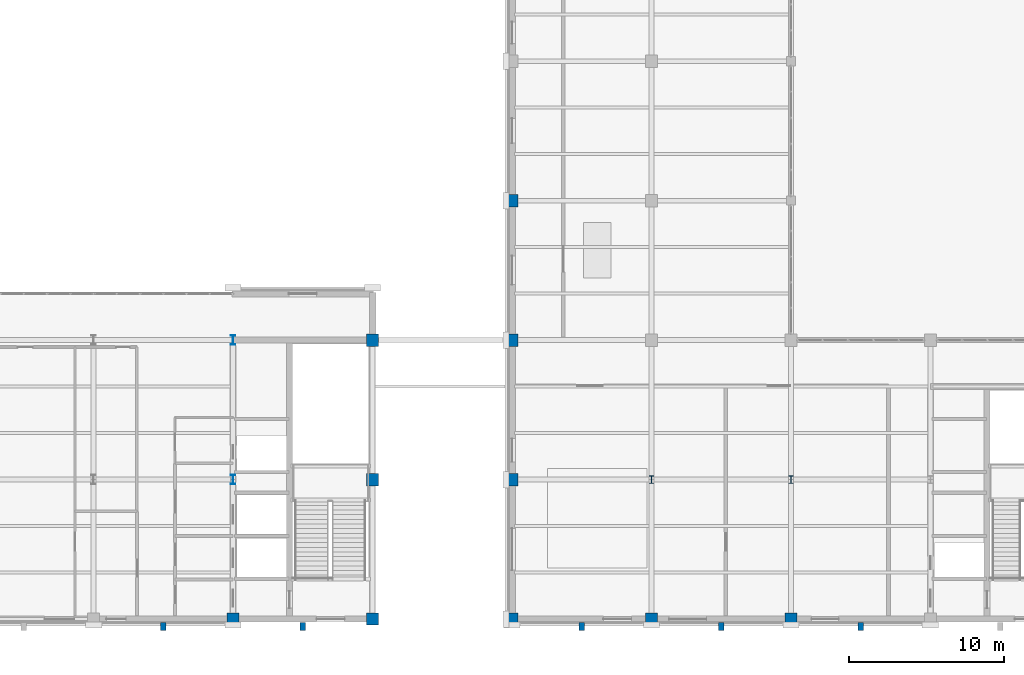
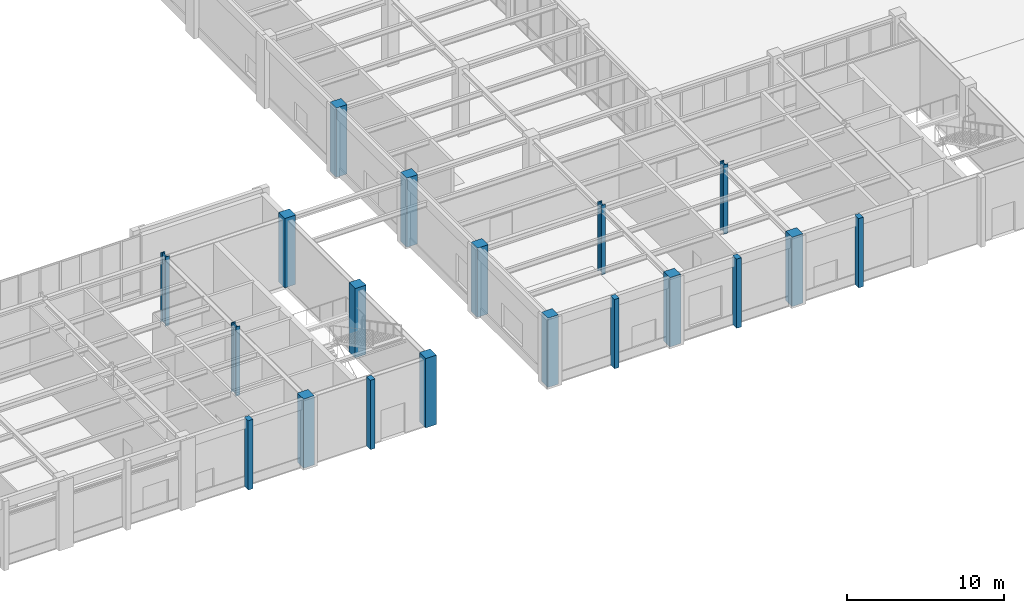
# One storey, part 4 of 77: 19 columns.
"""IFC4 building model written with IfcOpenShell, lengths in metres."""

from ifc_helpers import new_model, si_unit, direction, frame, origin, origin_2d, place, context, subcontext, project, spatial, rectangle, i_section, extrude, material, material_profile, profile_set, type_object, element, save


model = new_model("IFC4")

# Units and contexts
model_context = context("Model", 3, precision=1e-05, world=origin(), true_north=direction((0.0, 1.0)))
body_context = subcontext(model_context, "Body", "Model", "MODEL_VIEW")
ifc_project = project(units=[si_unit("LENGTHUNIT", "METRE"), si_unit("AREAUNIT", "SQUARE_METRE"), si_unit("VOLUMEUNIT", "CUBIC_METRE"), si_unit("PLANEANGLEUNIT", "RADIAN"), si_unit("MASSUNIT", "GRAM", prefix="KILO")], contexts=[model_context])

# Site, building, storey
site_placement = place(None, origin())
site = spatial("IfcSite", under=ifc_project, at=site_placement, CompositionType="ELEMENT")
building_placement = place(site_placement, origin())
building = spatial("IfcBuilding", under=site, at=building_placement, Name="Lykobir Media Centre", CompositionType="ELEMENT")
storey_placement = place(building_placement, origin())
storey = spatial("IfcBuildingStorey", under=building, at=storey_placement, Name="L00", CompositionType="ELEMENT", Elevation=0.0)

# Columns
ifc_material_1 = material(Name="Honed Travertine Stone", Category="masonry")
ifc_material_profile_1 = material_profile(ifc_material_1, rectangle(XDim=0.35009765625, YDim=0.5, at=origin_2d()), Name="RC PILASTER 500x350")
ifc_profile_set_1 = profile_set([ifc_material_profile_1], Name="Honed Travertine Stone")
column_type_1 = type_object("IfcColumnType", Name="PIL-500", PredefinedType="PILASTER", material=ifc_profile_set_1)
for number, where, z_axis, x_axis, name in (
    (1, (67.5, -0.47998046875, 0.0), (0.0, 0.0, 1.0), (1.0, 0.0, 0.0), "South Revak L00 colonnade pier 67.5"),
    (2, (76.5, -0.47998046875, 0.0), (0.0, 0.0, 1.0), (1.0, 0.0, 0.0), "South Revak L00 colonnade pier 76.5"),
    (3, (94.5, -0.47998046875, 0.0), (0.0, 0.0, 1.0), (1.0, 0.0, 0.0), "South Revak L00 colonnade pier 94.5"),
    (4, (103.5, -0.47998046875, 0.0), (0.0, 0.0, 1.0), (1.0, 0.0, 0.0), "South Revak L00 colonnade pier 103.5"),
    (5, (112.5, -0.47998046875, 0.0), (0.0, 0.0, 1.0), (1.0, 0.0, 0.0), "South Revak L00 colonnade pier 112.5"),
):
    element("IfcColumn", number, at=place(storey_placement, frame(where, z_axis=z_axis, x_axis=x_axis)), inside=storey, type_object=column_type_1, Name=name, PredefinedType="PILASTER", context=body_context, shape_type="SweptSolid", body=[
        extrude(rectangle(XDim=0.35009765625, YDim=0.5, at=origin_2d()), origin(), (0.0, 0.0, 1.0), 5.39990234375),
    ])
ifc_material_2 = material(Name="Concrete C40/50", Category="concrete")
ifc_material_profile_2 = material_profile(ifc_material_2, rectangle(XDim=0.800048828125, YDim=0.800048828125, at=origin_2d()), Name="RC 800x800")
ifc_profile_set_2 = profile_set([ifc_material_profile_2], Name="Concrete C40/50")
column_type_2 = type_object("IfcColumnType", Name="RC-C800-E", PredefinedType="COLUMN", material=ifc_profile_set_2)
for number, where, z_axis, x_axis, name in (
    (6, (72.0, 0.0, 0.0), (0.0, 0.0, 1.0), (1.0, 0.0, 0.0), "Column COL-L00-0720-0000"),
    (7, (81.0, 0.0, 0.0), (0.0, 0.0, 1.0), (1.0, 0.0, 0.0), "Column COL-L00-0810-0000"),
    (8, (81.0, 9.0, 0.0), (0.0, 0.0, 1.0), (1.0, 0.0, 0.0), "Column COL-L00-0810-0090"),
    (9, (81.0, 18.0, 0.0), (0.0, 0.0, 1.0), (1.0, 0.0, 0.0), "Column COL-L00-0810-0180"),
    (10, (90.0, 0.0, 0.0), (0.0, 0.0, 1.0), (1.0, 0.0, 0.0), "Column COL-L00-0900-0000"),
    (11, (90.0, 9.0, 0.0), (0.0, 0.0, 1.0), (1.0, 0.0, 0.0), "Column COL-L00-0900-0090"),
    (12, (90.0, 18.0, 0.0), (0.0, 0.0, 1.0), (1.0, 0.0, 0.0), "Column COL-L00-0900-0180"),
    (13, (90.0, 27.0, 0.0), (0.0, 0.0, 1.0), (1.0, 0.0, 0.0), "Column COL-L00-0900-0270"),
    (14, (99.0, 0.0, 0.0), (0.0, 0.0, 1.0), (1.0, 0.0, 0.0), "Column COL-L00-0990-0000"),
    (15, (108.0, 0.0, 0.0), (0.0, 0.0, 1.0), (1.0, 0.0, 0.0), "Column COL-L00-1080-0000"),
):
    element("IfcColumn", number, at=place(storey_placement, frame(where, z_axis=z_axis, x_axis=x_axis)), inside=storey, type_object=column_type_2, Name=name, PredefinedType="COLUMN", context=body_context, shape_type="SweptSolid", body=[
        extrude(rectangle(XDim=0.800048828125, YDim=0.800048828125, at=origin_2d()), origin(), (0.0, 0.0, 1.0), 5.39990234375),
    ])
ifc_material_3 = material(Name="Steel S355", Category="steel")
ifc_material_profile_3 = material_profile(ifc_material_3, i_section(OverallWidth=0.300048828125, OverallDepth=0.5, WebThickness=0.014404296875, FlangeThickness=0.028076171875, at=origin_2d()), Name="HEB 500")
ifc_profile_set_3 = profile_set([ifc_material_profile_3], Name="Steel S355")
column_type_3 = type_object("IfcColumnType", Name="SC-HEB500", PredefinedType="COLUMN", material=ifc_profile_set_3)
for number, where, z_axis, x_axis, name in (
    (16, (99.0, 9.0, 0.0), (0.0, 0.0, 1.0), (1.0, 0.0, 0.0), "Column COL-L00-0990-0090"),
    (17, (108.0, 9.0, 0.0), (0.0, 0.0, 1.0), (1.0, 0.0, 0.0), "Column COL-L00-1080-0090"),
):
    element("IfcColumn", number, at=place(storey_placement, frame(where, z_axis=z_axis, x_axis=x_axis)), inside=storey, type_object=column_type_3, Name=name, PredefinedType="COLUMN", context=body_context, shape_type="SweptSolid", body=[
        extrude(i_section(OverallWidth=0.300048828125, OverallDepth=0.5, WebThickness=0.014404296875, FlangeThickness=0.028076171875, at=origin_2d()), origin(), (0.0, 0.0, 1.0), 5.39990234375),
    ])
ifc_material_profile_4 = material_profile(ifc_material_3, i_section(OverallWidth=0.300048828125, OverallDepth=0.60009765625, WebThickness=0.015380859375, FlangeThickness=0.030029296875, at=origin_2d()), Name="HEB 600")
ifc_profile_set_4 = profile_set([ifc_material_profile_4], Name="Steel S355")
column_type_4 = type_object("IfcColumnType", Name="SC-HEB600", PredefinedType="COLUMN", material=ifc_profile_set_4)
for number, where, z_axis, x_axis, name in (
    (18, (72.0, 9.0, 0.0), (0.0, 0.0, 1.0), (1.0, 0.0, 0.0), "Column COL-L00-0720-0090"),
    (19, (72.0, 18.0, 0.0), (0.0, 0.0, 1.0), (1.0, 0.0, 0.0), "Column COL-L00-0720-0180"),
):
    element("IfcColumn", number, at=place(storey_placement, frame(where, z_axis=z_axis, x_axis=x_axis)), inside=storey, type_object=column_type_4, Name=name, PredefinedType="COLUMN", context=body_context, shape_type="SweptSolid", body=[
        extrude(i_section(OverallWidth=0.300048828125, OverallDepth=0.60009765625, WebThickness=0.015380859375, FlangeThickness=0.030029296875, at=origin_2d()), origin(), (0.0, 0.0, 1.0), 5.39990234375),
    ])

save(model, "model.ifc")
